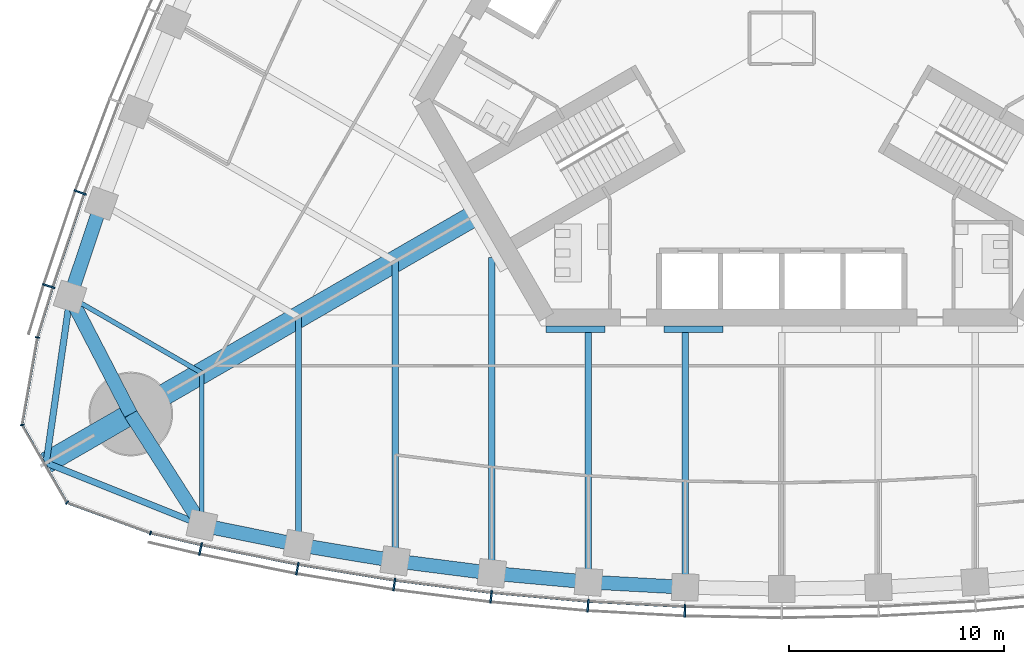
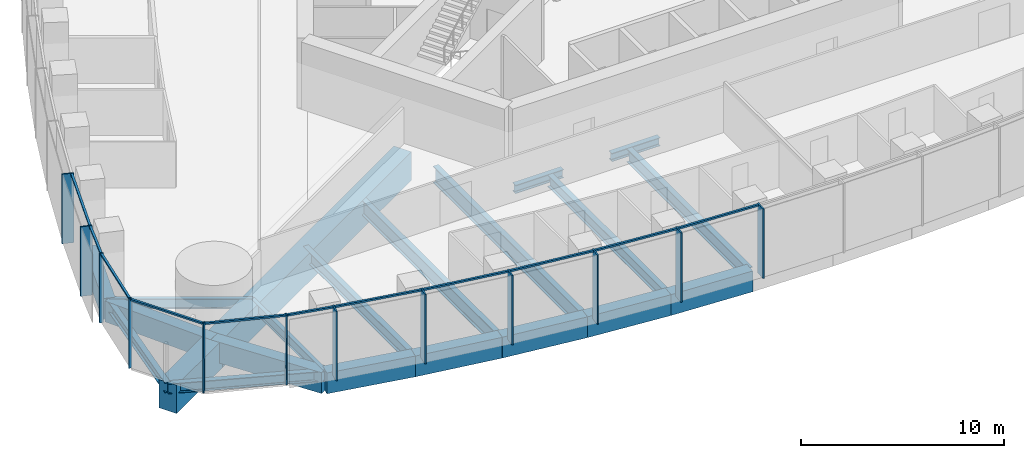
# One storey, part 2 of 21: 23 members, 21 beams, 3 elements without a shape of their own.
"""IFC4 building model written with IfcOpenShell, lengths in metres."""

from ifc_helpers import new_model, si_unit, direction, frame, origin, origin_2d, place, context, subcontext, project, spatial, rectangle, i_section, extrude, material, material_profile, profile_set, type_object, element, aggregate, save


model = new_model("IFC4")

# Units and contexts
model_context = context("Model", 3, precision=1e-05, world=origin(), true_north=direction((0.0, 1.0)))
body_context = subcontext(model_context, "Body", "Model", "MODEL_VIEW")
ifc_project = project(units=[si_unit("LENGTHUNIT", "METRE"), si_unit("AREAUNIT", "SQUARE_METRE"), si_unit("VOLUMEUNIT", "CUBIC_METRE"), si_unit("PLANEANGLEUNIT", "RADIAN"), si_unit("MASSUNIT", "GRAM", prefix="KILO")], contexts=[model_context])

# Site, building, storey
site_placement = place(None, origin())
site = spatial("IfcSite", under=ifc_project, at=site_placement, CompositionType="ELEMENT")
building_placement = place(site_placement, origin())
building = spatial("IfcBuilding", under=site, at=building_placement, Name="Trefoil Bronze Tower", CompositionType="ELEMENT")
storey_placement = place(building_placement, frame((0.0, 0.0, 149.300048828125)))
storey = spatial("IfcBuildingStorey", under=building, at=storey_placement, Name="L34", CompositionType="ELEMENT", Elevation=149.300048828125)

# Curtain wall, members
ifc_material_1 = material(Name="Tinted solar-control glass", Category="glass")
curtain_wall_type_1 = type_object("IfcCurtainWallType", Name="Bronze office curtain wall", PredefinedType="USERDEFINED", material=ifc_material_1)
curtain_wall_1_placement = place(storey_placement, origin())
curtain_wall_1 = element("IfcCurtainWall", 1, at=curtain_wall_1_placement, inside=storey, type_object=curtain_wall_type_1, Name="CW-A L34 F1", ObjectType="CURTAIN WALL", PredefinedType="USERDEFINED")
ifc_material_2 = material(Name="Bronze-finish aluminium", Category="aluminium")
ifc_material_profile_1 = material_profile(ifc_material_2, rectangle(XDim=0.60009765625, YDim=0.080078125, at=origin_2d()), Name="CW-A mullion")
ifc_profile_set_1 = profile_set([ifc_material_profile_1], Name="Bronze-finish aluminium")
member_type_1 = type_object("IfcMemberType", Name="Bronze office curtain wall mullion", PredefinedType="MULLION", material=ifc_profile_set_1)
member_1_placement = place(storey_placement, frame((-27.0634765625, -23.7890625, 0.0), z_axis=(0.0, 0.0, 1.0), x_axis=(0.21197042503, 0.977276081214, 0.0)))
member_1 = element("IfcMember", 2, at=member_1_placement, type_object=member_type_1, Name="CW-A L34 F1 mullion 2", PredefinedType="MULLION", context=body_context, shape_type="SweptSolid", body=[
    extrude(rectangle(XDim=0.60009765625, YDim=0.080078125, at=origin_2d()), origin(), (0.0, 0.0, 1.0), 4.179931640625),
])
member_2_placement = place(storey_placement, frame((-22.553955078125, -24.700927734375, 0.0), z_axis=(0.0, 0.0, 1.0), x_axis=(0.180240853954, 0.98362250613, 0.0)))
member_2 = element("IfcMember", 3, at=member_2_placement, type_object=member_type_1, Name="CW-A L34 F1 mullion 3", PredefinedType="MULLION", context=body_context, shape_type="SweptSolid", body=[
    extrude(rectangle(XDim=0.60009765625, YDim=0.080078125, at=origin_2d()), origin(), (0.0, 0.0, 1.0), 4.179931640625),
])
member_3_placement = place(storey_placement, frame((-18.043212890625, -25.4423828125, 0.0), z_axis=(0.0, 0.0, 1.0), x_axis=(0.144192103798, 0.989549714366, 0.0)))
member_3 = element("IfcMember", 4, at=member_3_placement, type_object=member_type_1, Name="CW-A L34 F1 mullion 4", PredefinedType="MULLION", context=body_context, shape_type="SweptSolid", body=[
    extrude(rectangle(XDim=0.60009765625, YDim=0.080078125, at=origin_2d()), origin(), (0.0, 0.0, 1.0), 4.179931640625),
])
member_4_placement = place(storey_placement, frame((-13.532470703125, -26.01611328125, 0.0), z_axis=(0.0, 0.0, 1.0), x_axis=(0.108143747013, 0.994135267447, 0.0)))
member_4 = element("IfcMember", 5, at=member_4_placement, type_object=member_type_1, Name="CW-A L34 F1 mullion 5", PredefinedType="MULLION", context=body_context, shape_type="SweptSolid", body=[
    extrude(rectangle(XDim=0.60009765625, YDim=0.080078125, at=origin_2d()), origin(), (0.0, 0.0, 1.0), 4.179931640625),
])
member_5_placement = place(storey_placement, frame((-9.021728515625, -26.424072265625, 0.0), z_axis=(0.0, 0.0, 1.0), x_axis=(0.072095676284, 0.997397720802, 0.0)))
member_5 = element("IfcMember", 6, at=member_5_placement, type_object=member_type_1, Name="CW-A L34 F1 mullion 6", PredefinedType="MULLION", context=body_context, shape_type="SweptSolid", body=[
    extrude(rectangle(XDim=0.60009765625, YDim=0.080078125, at=origin_2d()), origin(), (0.0, 0.0, 1.0), 4.179931640625),
])
member_6_placement = place(storey_placement, frame((-4.5107421875, -26.66845703125, 0.0), z_axis=(0.0, 0.0, 1.0), x_axis=(0.036047792107, 0.999350067136, 0.0)))
member_6 = element("IfcMember", 7, at=member_6_placement, type_object=member_type_1, Name="CW-A L34 F1 mullion 7", PredefinedType="MULLION", context=body_context, shape_type="SweptSolid", body=[
    extrude(rectangle(XDim=0.60009765625, YDim=0.080078125, at=origin_2d()), origin(), (0.0, 0.0, 1.0), 4.179931640625),
])

curtain_wall_2_placement = place(storey_placement, origin())
curtain_wall_2 = element("IfcCurtainWall", 8, at=curtain_wall_2_placement, inside=storey, type_object=curtain_wall_type_1, Name="CW-A L34 F3", ObjectType="CURTAIN WALL", PredefinedType="USERDEFINED")
member_7_placement = place(storey_placement, frame((-32.668701171875, -7.181884765625, 0.0), z_axis=(0.0, 0.0, 1.0), x_axis=(0.94196250502, -0.335718094742, 0.0)))
member_7 = element("IfcMember", 9, at=member_7_placement, type_object=member_type_1, Name="CW-A L34 F3 mullion 13", PredefinedType="MULLION", context=body_context, shape_type="SweptSolid", body=[
    extrude(rectangle(XDim=0.60009765625, YDim=0.080078125, at=origin_2d()), origin(), (0.0, 0.0, 1.0), 4.179931640625),
])
member_8_placement = place(storey_placement, frame((-34.1337890625, -11.543212890625, 0.0), z_axis=(0.0, 0.0, 1.0), x_axis=(0.952331125357, -0.30506626768, 0.0)))
member_8 = element("IfcMember", 10, at=member_8_placement, type_object=member_type_1, Name="CW-A L34 F3 mullion 14", PredefinedType="MULLION", context=body_context, shape_type="SweptSolid", body=[
    extrude(rectangle(XDim=0.60009765625, YDim=0.080078125, at=origin_2d()), origin(), (0.0, 0.0, 1.0), 4.179931640625),
])

# Member
ifc_material_3 = material(Name="Bronze-finish aluminium", Category="aluminium")
ifc_material_profile_2 = material_profile(ifc_material_3, rectangle(XDim=0.1201171875, YDim=0.10009765625, at=origin_2d()), Name="CW-A transom")
ifc_profile_set_2 = profile_set([ifc_material_profile_2], Name="Bronze-finish aluminium")
member_type_2 = type_object("IfcMemberType", Name="Bronze office curtain wall transom", PredefinedType="USERDEFINED", material=ifc_profile_set_2)
member_9_placement = place(storey_placement, frame((-29.34130859375, -23.05615234375, 4.1298828125), z_axis=(0.974206243495, -0.225659467196, 0.0), x_axis=(0.225659467196, 0.974206243495, 0.0)))
member_9 = element("IfcMember", 11, at=member_9_placement, type_object=member_type_2, Name="CW-A L34 F1 transom 1", ObjectType="TRANSOM", PredefinedType="USERDEFINED", context=body_context, shape_type="SweptSolid", body=[
    extrude(rectangle(XDim=0.1201171875, YDim=0.10009765625, at=origin_2d()), origin(), (0.0, 0.0, 1.0), 2.340087890625),
])

member_10_placement = place(storey_placement, frame((-26.980712890625, -23.601806640625, 4.1298828125), z_axis=(0.980153749225, -0.198238815273, 0.0), x_axis=(0.198238815273, 0.980153749225, 0.0)))
member_10 = element("IfcMember", 12, at=member_10_placement, type_object=member_type_2, Name="CW-A L34 F1 transom 2", ObjectType="TRANSOM", PredefinedType="USERDEFINED", context=body_context, shape_type="SweptSolid", body=[
    extrude(rectangle(XDim=0.1201171875, YDim=0.10009765625, at=origin_2d()), origin(), (0.0, 0.0, 1.0), 4.51123046875),
])

member_11_placement = place(storey_placement, frame((-22.476806640625, -24.510986328125, 4.1298828125), z_axis=(0.986755265284, -0.162216048636, 0.0), x_axis=(0.162216048636, 0.986755265284, 0.0)))
member_11 = element("IfcMember", 13, at=member_11_placement, type_object=member_type_2, Name="CW-A L34 F1 transom 3", ObjectType="TRANSOM", PredefinedType="USERDEFINED", context=body_context, shape_type="SweptSolid", body=[
    extrude(rectangle(XDim=0.1201171875, YDim=0.10009765625, at=origin_2d()), origin(), (0.0, 0.0, 1.0), 4.48046875),
])

member_12_placement = place(storey_placement, frame((-17.972900390625, -25.249755859375, 4.1298828125), z_axis=(0.992008387848, -0.12617193998, 0.0), x_axis=(0.12617193998, 0.992008387848, 0.0)))
member_12 = element("IfcMember", 14, at=member_12_placement, type_object=member_type_2, Name="CW-A L34 F1 transom 4", ObjectType="TRANSOM", PredefinedType="USERDEFINED", context=body_context, shape_type="SweptSolid", body=[
    extrude(rectangle(XDim=0.1201171875, YDim=0.10009765625, at=origin_2d()), origin(), (0.0, 0.0, 1.0), 4.456298828125),
])

member_13_placement = place(storey_placement, frame((-13.46923828125, -25.821044921875, 4.1298828125), z_axis=(0.995932787062, -0.090099298863, 0.0), x_axis=(0.090099298863, 0.995932787062, 0.0)))
member_13 = element("IfcMember", 15, at=member_13_placement, type_object=member_type_2, Name="CW-A L34 F1 transom 5", ObjectType="TRANSOM", PredefinedType="USERDEFINED", context=body_context, shape_type="SweptSolid", body=[
    extrude(rectangle(XDim=0.1201171875, YDim=0.10009765625, at=origin_2d()), origin(), (0.0, 0.0, 1.0), 4.4384765625),
])

member_14_placement = place(storey_placement, frame((-8.965576171875, -26.22705078125, 4.1298828125), z_axis=(0.998538253569, -0.054049571306, 0.0), x_axis=(0.054049571306, 0.998538253569, 0.0)))
member_14 = element("IfcMember", 16, at=member_14_placement, type_object=member_type_2, Name="CW-A L34 F1 transom 6", ObjectType="TRANSOM", PredefinedType="USERDEFINED", context=body_context, shape_type="SweptSolid", body=[
    extrude(rectangle(XDim=0.1201171875, YDim=0.10009765625, at=origin_2d()), origin(), (0.0, 0.0, 1.0), 4.4267578125),
])

aggregate(curtain_wall_1, [member_1, member_2, member_3, member_4, member_5, member_6, member_9, member_10, member_11, member_12, member_13, member_14])

member_15_placement = place(storey_placement, frame((-32.49365234375, -7.28857421875, 4.1298828125), z_axis=(-0.318386323729, -0.947961048178, 0.0), x_axis=(0.947961048178, -0.318386323729, 0.0)))
member_15 = element("IfcMember", 17, at=member_15_placement, type_object=member_type_2, Name="CW-A L34 F3 transom 13", ObjectType="TRANSOM", PredefinedType="USERDEFINED", context=body_context, shape_type="SweptSolid", body=[
    extrude(rectangle(XDim=0.1201171875, YDim=0.10009765625, at=origin_2d()), origin(), (0.0, 0.0, 1.0), 4.51123046875),
])

member_16_placement = place(storey_placement, frame((-33.955322265625, -11.643798828125, 4.1298828125), z_axis=(-0.291680468798, -0.956515814883, 0.0), x_axis=(0.956515814883, -0.291680468798, 0.0)))
member_16 = element("IfcMember", 18, at=member_16_placement, type_object=member_type_2, Name="CW-A L34 F3 transom 14", ObjectType="TRANSOM", PredefinedType="USERDEFINED", context=body_context, shape_type="SweptSolid", body=[
    extrude(rectangle(XDim=0.1201171875, YDim=0.10009765625, at=origin_2d()), origin(), (0.0, 0.0, 1.0), 2.34033203125),
])

aggregate(curtain_wall_2, [member_7, member_8, member_15, member_16])

# Curtain wall, members
ifc_material_4 = material(Name="Tinted solar-control glass", Category="glass")
curtain_wall_type_2 = type_object("IfcCurtainWallType", Name="Bronze rounded corner curtain wall", PredefinedType="USERDEFINED", material=ifc_material_4)
curtain_wall_3_placement = place(storey_placement, origin())
curtain_wall_3 = element("IfcCurtainWall", 19, at=curtain_wall_3_placement, inside=storey, type_object=curtain_wall_type_2, Name="CW-B L34 K3", ObjectType="CURTAIN WALL", PredefinedType="USERDEFINED")
ifc_material_5 = material(Name="Bronze-finish aluminium", Category="aluminium")
ifc_material_profile_3 = material_profile(ifc_material_5, rectangle(XDim=0.199951171875, YDim=0.06005859375, at=origin_2d()), Name="CW-B mullion")
ifc_profile_set_3 = profile_set([ifc_material_profile_3], Name="Bronze-finish aluminium")
member_type_3 = type_object("IfcMemberType", Name="Bronze rounded corner curtain wall mullion", PredefinedType="MULLION", material=ifc_profile_set_3)
member_17_placement = place(storey_placement, frame((-34.65234375, -13.932373046875, 0.0), z_axis=(0.0, 0.0, 1.0), x_axis=(0.984807753012, -0.173648177667, 0.0)))
member_17 = element("IfcMember", 20, at=member_17_placement, type_object=member_type_3, Name="CW-B L34 K3 mullion 1", PredefinedType="MULLION", context=body_context, shape_type="SweptSolid", body=[
    extrude(rectangle(XDim=0.199951171875, YDim=0.06005859375, at=origin_2d()), origin(), (0.0, 0.0, 1.0), 4.179931640625),
])
member_18_placement = place(storey_placement, frame((-35.364990234375, -18.009033203125, 0.0), z_axis=(0.0, 0.0, 1.0), x_axis=(0.984807753012, 0.173648177667, 0.0)))
member_18 = element("IfcMember", 21, at=member_18_placement, type_object=member_type_3, Name="CW-B L34 K3 mullion 2", PredefinedType="MULLION", context=body_context, shape_type="SweptSolid", body=[
    extrude(rectangle(XDim=0.199951171875, YDim=0.06005859375, at=origin_2d()), origin(), (0.0, 0.0, 1.0), 4.179931640625),
])
member_19_placement = place(storey_placement, frame((-33.27880859375, -21.62255859375, 0.0), z_axis=(0.0, 0.0, 1.0), x_axis=(0.642787609687, 0.766044443119, 0.0)))
member_19 = element("IfcMember", 22, at=member_19_placement, type_object=member_type_3, Name="CW-B L34 K3 mullion 3", PredefinedType="MULLION", context=body_context, shape_type="SweptSolid", body=[
    extrude(rectangle(XDim=0.199951171875, YDim=0.06005859375, at=origin_2d()), origin(), (0.0, 0.0, 1.0), 4.179931640625),
])
member_20_placement = place(storey_placement, frame((-29.391845703125, -23.043701171875, 0.0), z_axis=(0.0, 0.0, 1.0), x_axis=(0.342020143326, 0.939692620786, 0.0)))
member_20 = element("IfcMember", 23, at=member_20_placement, type_object=member_type_3, Name="CW-B L34 K3 mullion 4", PredefinedType="MULLION", context=body_context, shape_type="SweptSolid", body=[
    extrude(rectangle(XDim=0.199951171875, YDim=0.06005859375, at=origin_2d()), origin(), (0.0, 0.0, 1.0), 4.179931640625),
])
ifc_material_6 = material(Name="Bronze-finish aluminium", Category="aluminium")
ifc_material_profile_4 = material_profile(ifc_material_6, rectangle(XDim=0.1201171875, YDim=0.10009765625, at=origin_2d()), Name="CW-B transom")
ifc_profile_set_4 = profile_set([ifc_material_profile_4], Name="Bronze-finish aluminium")
member_type_4 = type_object("IfcMemberType", Name="Bronze rounded corner curtain wall transom", PredefinedType="USERDEFINED", material=ifc_profile_set_4)
member_21_placement = place(storey_placement, frame((-34.657470703125, -13.9619140625, 4.1298828125), z_axis=(-0.173682016639, -0.984801785689, 0.0), x_axis=(0.984801785689, -0.173682016639, 0.0)))
member_21 = element("IfcMember", 24, at=member_21_placement, type_object=member_type_4, Name="CW-B L34 K3 transom 1", ObjectType="TRANSOM", PredefinedType="USERDEFINED", context=body_context, shape_type="SweptSolid", body=[
    extrude(rectangle(XDim=0.1201171875, YDim=0.10009765625, at=origin_2d()), origin(), (0.0, 0.0, 1.0), 4.044189453125),
])
member_22_placement = place(storey_placement, frame((-35.338134765625, -18.067626953125, 4.1298828125), z_axis=(0.500015078168, -0.866016698225, 0.0), x_axis=(0.866016698225, 0.500015078168, 0.0)))
member_22 = element("IfcMember", 25, at=member_22_placement, type_object=member_type_4, Name="CW-B L34 K3 transom 2", ObjectType="TRANSOM", PredefinedType="USERDEFINED", context=body_context, shape_type="SweptSolid", body=[
    extrude(rectangle(XDim=0.1201171875, YDim=0.10009765625, at=origin_2d()), origin(), (0.0, 0.0, 1.0), 4.04443359375),
])
member_23_placement = place(storey_placement, frame((-33.220458984375, -21.650146484375, 4.1298828125), z_axis=(0.939684096629, -0.342043562347, 0.0), x_axis=(0.342043562347, 0.939684096629, 0.0)))
member_23 = element("IfcMember", 26, at=member_23_placement, type_object=member_type_4, Name="CW-B L34 K3 transom 3", ObjectType="TRANSOM", PredefinedType="USERDEFINED", context=body_context, shape_type="SweptSolid", body=[
    extrude(rectangle(XDim=0.1201171875, YDim=0.10009765625, at=origin_2d()), origin(), (0.0, 0.0, 1.0), 4.044189453125),
])
aggregate(curtain_wall_3, [member_17, member_18, member_19, member_20, member_21, member_22, member_23])

# Beams
ifc_material_7 = material(Name="Steel C355", Category="steel")
ifc_material_profile_5 = material_profile(ifc_material_7, i_section(OverallWidth=0.300048828125, OverallDepth=0.5, WebThickness=0.014404296875, FlangeThickness=0.028076171875, FilletRadius=0.027099609375, at=origin_2d()), Name="HEB 500")
ifc_profile_set_5 = profile_set([ifc_material_profile_5], Name="Steel C355")
beam_type_1 = type_object("IfcBeamType", Name="Core seat beam HEB 500", PredefinedType="BEAM", material=ifc_profile_set_5)
for number, where, z_axis, x_axis, name in (
    (27, (-10.9697265625, -13.550048828125, -0.449951171875), (1.0, 0.0, 0.0), (0.0, 1.0, 0.0), "Core seat beam F1/-2 L34"),
    (28, (-5.48486328125, -13.550048828125, -0.449951171875), (1.0, 0.0, 0.0), (0.0, 1.0, 0.0), "Core seat beam F1/-1 L34"),
):
    element("IfcBeam", number, at=place(storey_placement, frame(where, z_axis=z_axis, x_axis=x_axis)), inside=storey, type_object=beam_type_1, Name=name, PredefinedType="BEAM", context=body_context, shape_type="SweptSolid", body=[
        extrude(i_section(OverallWidth=0.300048828125, OverallDepth=0.5, WebThickness=0.014404296875, FlangeThickness=0.028076171875, FilletRadius=0.027099609375, at=origin_2d()), origin(), (0.0, 0.0, 1.0), 2.742431640625),
    ])
ifc_material_8 = material(Name="Concrete B80", Category="concrete")
ifc_material_profile_6 = material_profile(ifc_material_8, rectangle(XDim=1.0, YDim=1.699951171875, at=origin_2d()), Name="RC 1000x1700")
ifc_profile_set_6 = profile_set([ifc_material_profile_6], Name="Concrete B80")
beam_type_2 = type_object("IfcBeamType", Name="Corner cantilever RC 1000x1700", PredefinedType="BEAM", material=ifc_profile_set_6)
beam_1_placement = place(storey_placement, frame((-30.310791015625, -17.5, -1.050048828125), z_axis=(-0.866031878637, -0.499988785058, 0.0), x_axis=(0.499988785058, -0.866031878637, 0.0)))
element("IfcBeam", 29, at=beam_1_placement, inside=storey, type_object=beam_type_2, Name="Corner cantilever K3 L34", PredefinedType="BEAM", context=body_context, shape_type="SweptSolid", body=[
    extrude(rectangle(XDim=1.0, YDim=1.699951171875, at=origin_2d()), origin(), (0.0, 0.0, 1.0), 4.54931640625),
])
ifc_material_9 = material(Name="Steel C355", Category="steel")
ifc_material_profile_7 = material_profile(ifc_material_9, i_section(OverallWidth=0.300048828125, OverallDepth=0.60009765625, WebThickness=0.015380859375, FlangeThickness=0.030029296875, FilletRadius=0.027099609375, at=origin_2d()), Name="HEB 600")
ifc_profile_set_7 = profile_set([ifc_material_profile_7], Name="Steel C355")
beam_type_3 = type_object("IfcBeamType", Name="Corner edge beam HEB 600", PredefinedType="BEAM", material=ifc_profile_set_7)
for number, where, z_axis, x_axis, name in (
    (30, (-27.0, -22.67724609375, -0.5), (-0.928375332495, 0.371643972122, 0.0), (-0.371643972122, -0.928375332495, 0.0), "Corner edge beam F1B L34"),
    (31, (-33.13916015625, -12.044189453125, -0.5), (-0.142327214588, -0.989819662357, 0.0), (0.989819662357, -0.142327214588, 0.0), "Corner edge beam F3A L34"),
):
    element("IfcBeam", number, at=place(storey_placement, frame(where, z_axis=z_axis, x_axis=x_axis)), inside=storey, type_object=beam_type_3, Name=name, PredefinedType="BEAM", context=body_context, shape_type="SweptSolid", body=[
        extrude(i_section(OverallWidth=0.300048828125, OverallDepth=0.60009765625, WebThickness=0.015380859375, FlangeThickness=0.030029296875, FilletRadius=0.027099609375, at=origin_2d()), origin(), (0.0, 0.0, 1.0), 7.81005859375),
    ])
ifc_material_10 = material(Name="Concrete B80", Category="concrete")
ifc_material_profile_8 = material_profile(ifc_material_10, rectangle(XDim=1.0, YDim=1.699951171875, at=origin_2d()), Name="RC 1000x1700")
ifc_profile_set_8 = profile_set([ifc_material_profile_8], Name="Concrete B80")
beam_type_4 = type_object("IfcBeamType", Name="Corner girder RC 1000x1700", PredefinedType="BEAM", material=ifc_profile_set_8)
beam_2_placement = place(storey_placement, frame((-14.202880859375, -8.199951171875, -1.050048828125), z_axis=(-0.866022084834, -0.500005748546, 0.0), x_axis=(0.500005748546, -0.866022084834, 0.0)))
element("IfcBeam", 32, at=beam_2_placement, inside=storey, type_object=beam_type_4, Name="Corner girder K3 L34", PredefinedType="BEAM", context=body_context, shape_type="SweptSolid", body=[
    extrude(rectangle(XDim=1.0, YDim=1.699951171875, at=origin_2d()), origin(), (0.0, 0.0, 1.0), 18.599853515625),
])
ifc_material_11 = material(Name="Concrete B80", Category="concrete")
ifc_material_profile_9 = material_profile(ifc_material_11, rectangle(XDim=0.64990234375, YDim=1.25, at=origin_2d()), Name="RC 650x1250")
ifc_profile_set_9 = profile_set([ifc_material_profile_9], Name="Concrete B80")
beam_type_5 = type_object("IfcBeamType", Name="End spandrel beam RC 650x1250", PredefinedType="SPANDREL", material=ifc_profile_set_9)
for number, where, z_axis, x_axis, name in (
    (33, (-30.310791015625, -17.5, -0.824951171875), (0.53874814953, -0.84246687257, 0.0), (0.84246687257, 0.53874814953, 0.0), "Spandrel F1.1 L34"),
    (34, (-33.13916015625, -12.044189453125, -0.824951171875), (0.460244107083, -0.887792409235, 0.0), (0.887792409235, 0.460244107083, 0.0), "Spandrel F3.14 L34"),
):
    element("IfcBeam", number, at=place(storey_placement, frame(where, z_axis=z_axis, x_axis=x_axis)), inside=storey, type_object=beam_type_5, Name=name, PredefinedType="SPANDREL", context=body_context, shape_type="SweptSolid", body=[
        extrude(rectangle(XDim=0.64990234375, YDim=1.25, at=origin_2d()), origin(), (0.0, 0.0, 1.0), 6.145263671875),
    ])
ifc_material_12 = material(Name="Steel C355", Category="steel")
ifc_material_profile_10 = material_profile(ifc_material_12, i_section(OverallWidth=0.300048828125, OverallDepth=1.0, WebThickness=0.01904296875, FlangeThickness=0.035888671875, FilletRadius=0.030029296875, at=origin_2d()), Name="HEB 1000")
ifc_profile_set_10 = profile_set([ifc_material_profile_10], Name="Steel C355")
beam_type_6 = type_object("IfcBeamType", Name="Floor beam HEB 1000", PredefinedType="BEAM", material=ifc_profile_set_10)
beam_3_placement = place(storey_placement, frame((-13.5, -24.9130859375, -0.699951171875), z_axis=(0.0, 1.0, 0.0), x_axis=(-1.0, 0.0, 0.0)))
element("IfcBeam", 35, at=beam_3_placement, inside=storey, type_object=beam_type_6, Name="Floor beam F1/-3 L34", PredefinedType="BEAM", context=body_context, shape_type="SweptSolid", body=[
    extrude(i_section(OverallWidth=0.300048828125, OverallDepth=1.0, WebThickness=0.01904296875, FlangeThickness=0.035888671875, FilletRadius=0.030029296875, at=origin_2d()), origin(), (0.0, 0.0, 1.0), 14.69580078125),
])
ifc_material_13 = material(Name="Steel C355", Category="steel")
ifc_material_profile_11 = material_profile(ifc_material_13, i_section(OverallWidth=0.300048828125, OverallDepth=0.699951171875, WebThickness=0.01708984375, FlangeThickness=0.031982421875, FilletRadius=0.027099609375, at=origin_2d()), Name="HEB 700")
ifc_profile_set_11 = profile_set([ifc_material_profile_11], Name="Steel C355")
beam_type_7 = type_object("IfcBeamType", Name="Floor beam HEB 700", PredefinedType="BEAM", material=ifc_profile_set_11)
beam_4_placement = place(storey_placement, frame((-22.5, -23.592529296875, -0.550048828125), z_axis=(0.0, 1.0, 0.0), x_axis=(-1.0, 0.0, 0.0)))
element("IfcBeam", 36, at=beam_4_placement, inside=storey, type_object=beam_type_7, Name="Floor beam F1/-5 L34", PredefinedType="BEAM", context=body_context, shape_type="SweptSolid", body=[
    extrude(i_section(OverallWidth=0.300048828125, OverallDepth=0.699951171875, WebThickness=0.01708984375, FlangeThickness=0.031982421875, FilletRadius=0.027099609375, at=origin_2d()), origin(), (0.0, 0.0, 1.0), 10.60205078125),
])
beam_5_placement = place(storey_placement, frame((-9.0, -25.32275390625, -0.550048828125), z_axis=(0.0, 1.0, 0.0), x_axis=(-1.0, 0.0, 0.0)))
element("IfcBeam", 37, at=beam_5_placement, inside=storey, type_object=beam_type_7, Name="Floor beam F1/-2 L34", PredefinedType="BEAM", context=body_context, shape_type="SweptSolid", body=[
    extrude(i_section(OverallWidth=0.300048828125, OverallDepth=0.699951171875, WebThickness=0.01708984375, FlangeThickness=0.031982421875, FilletRadius=0.027099609375, at=origin_2d()), origin(), (0.0, 0.0, 1.0), 11.622802734375),
])
ifc_material_14 = material(Name="Steel C355", Category="steel")
ifc_material_profile_12 = material_profile(ifc_material_14, i_section(OverallWidth=0.300048828125, OverallDepth=0.800048828125, WebThickness=0.017578125, FlangeThickness=0.032958984375, FilletRadius=0.030029296875, at=origin_2d()), Name="HEB 800")
ifc_profile_set_12 = profile_set([ifc_material_profile_12], Name="Steel C355")
beam_type_8 = type_object("IfcBeamType", Name="Floor beam HEB 800", PredefinedType="BEAM", material=ifc_profile_set_12)
beam_6_placement = place(storey_placement, frame((-4.5, -25.568115234375, -0.60009765625), z_axis=(0.0, 1.0, 0.0), x_axis=(-1.0, 0.0, 0.0)))
element("IfcBeam", 38, at=beam_6_placement, inside=storey, type_object=beam_type_8, Name="Floor beam F1/-1 L34", PredefinedType="BEAM", context=body_context, shape_type="SweptSolid", body=[
    extrude(i_section(OverallWidth=0.300048828125, OverallDepth=0.800048828125, WebThickness=0.017578125, FlangeThickness=0.032958984375, FilletRadius=0.030029296875, at=origin_2d()), origin(), (0.0, 0.0, 1.0), 11.8681640625),
])
ifc_material_15 = material(Name="Steel C355", Category="steel")
ifc_material_profile_13 = material_profile(ifc_material_15, i_section(OverallWidth=0.300048828125, OverallDepth=0.89990234375, WebThickness=0.0185546875, FlangeThickness=0.034912109375, FilletRadius=0.030029296875, at=origin_2d()), Name="HEB 900")
ifc_profile_set_13 = profile_set([ifc_material_profile_13], Name="Steel C355")
beam_type_9 = type_object("IfcBeamType", Name="Floor beam HEB 900", PredefinedType="BEAM", material=ifc_profile_set_13)
beam_7_placement = place(storey_placement, frame((-18.0, -24.337158203125, -0.650146484375), z_axis=(0.0, 1.0, 0.0), x_axis=(-1.0, 0.0, 0.0)))
element("IfcBeam", 39, at=beam_7_placement, inside=storey, type_object=beam_type_9, Name="Floor beam F1/-4 L34", PredefinedType="BEAM", context=body_context, shape_type="SweptSolid", body=[
    extrude(i_section(OverallWidth=0.300048828125, OverallDepth=0.89990234375, WebThickness=0.0185546875, FlangeThickness=0.034912109375, FilletRadius=0.030029296875, at=origin_2d()), origin(), (0.0, 0.0, 1.0), 13.94482421875),
])
ifc_material_16 = material(Name="Steel C355", Category="steel")
ifc_material_profile_14 = material_profile(ifc_material_16, i_section(OverallWidth=0.219970703125, OverallDepth=0.60009765625, WebThickness=0.011962890625, FlangeThickness=0.01904296875, FilletRadius=0.02392578125, at=origin_2d()), Name="IPE 600")
ifc_profile_set_14 = profile_set([ifc_material_profile_14], Name="Steel C355")
beam_type_10 = type_object("IfcBeamType", Name="Floor beam IPE 600", PredefinedType="BEAM", material=ifc_profile_set_14)
for number, where, z_axis, x_axis, name in (
    (40, (-27.0, -22.67724609375, -0.5), (0.0, 1.0, 0.0), (-1.0, 0.0, 0.0), "Floor beam F1/-6 L34"),
    (41, (-33.13916015625, -12.044189453125, -0.5), (0.866041060244, -0.499972881236, 0.0), (0.499972881236, 0.866041060244, 0.0), "Floor beam F3/+6 L34"),
):
    element("IfcBeam", number, at=place(storey_placement, frame(where, z_axis=z_axis, x_axis=x_axis)), inside=storey, type_object=beam_type_10, Name=name, PredefinedType="BEAM", context=body_context, shape_type="SweptSolid", body=[
        extrude(i_section(OverallWidth=0.219970703125, OverallDepth=0.60009765625, WebThickness=0.011962890625, FlangeThickness=0.01904296875, FilletRadius=0.02392578125, at=origin_2d()), origin(), (0.0, 0.0, 1.0), 7.0888671875),
    ])
ifc_material_17 = material(Name="Concrete B80", Category="concrete")
ifc_material_profile_15 = material_profile(ifc_material_17, rectangle(XDim=0.64990234375, YDim=1.25, at=origin_2d()), Name="RC 650x1250")
ifc_profile_set_15 = profile_set([ifc_material_profile_15], Name="Concrete B80")
beam_type_11 = type_object("IfcBeamType", Name="Spandrel beam RC 650x1250", PredefinedType="SPANDREL", material=ifc_profile_set_15)
beam_8_placement = place(storey_placement, frame((-27.0, -22.67724609375, -0.824951171875), z_axis=(0.979935430296, -0.199315208777, 0.0), x_axis=(0.199315208777, 0.979935430296, 0.0)))
element("IfcBeam", 42, at=beam_8_placement, inside=storey, type_object=beam_type_11, Name="Spandrel F1.2 L34", PredefinedType="SPANDREL", context=body_context, shape_type="SweptSolid", body=[
    extrude(rectangle(XDim=0.64990234375, YDim=1.25, at=origin_2d()), origin(), (0.0, 0.0, 1.0), 4.592041015625),
])
beam_9_placement = place(storey_placement, frame((-22.5, -23.592529296875, -0.824951171875), z_axis=(0.986584214684, -0.163253138823, 0.0), x_axis=(0.163253138823, 0.986584214684, 0.0)))
element("IfcBeam", 43, at=beam_9_placement, inside=storey, type_object=beam_type_11, Name="Spandrel F1.3 L34", PredefinedType="SPANDREL", context=body_context, shape_type="SweptSolid", body=[
    extrude(rectangle(XDim=0.64990234375, YDim=1.25, at=origin_2d()), origin(), (0.0, 0.0, 1.0), 4.561279296875),
])
beam_10_placement = place(storey_placement, frame((-18.0, -24.337158203125, -0.824951171875), z_axis=(0.991909314257, -0.126948463126, 0.0), x_axis=(0.126948463126, 0.991909314257, 0.0)))
element("IfcBeam", 44, at=beam_10_placement, inside=storey, type_object=beam_type_11, Name="Spandrel F1.4 L34", PredefinedType="SPANDREL", context=body_context, shape_type="SweptSolid", body=[
    extrude(rectangle(XDim=0.64990234375, YDim=1.25, at=origin_2d()), origin(), (0.0, 0.0, 1.0), 4.53662109375),
])
beam_11_placement = place(storey_placement, frame((-13.5, -24.9130859375, -0.824951171875), z_axis=(0.995881683815, -0.090662405894, 0.0), x_axis=(0.090662405894, 0.995881683815, 0.0)))
element("IfcBeam", 45, at=beam_11_placement, inside=storey, type_object=beam_type_11, Name="Spandrel F1.5 L34", PredefinedType="SPANDREL", context=body_context, shape_type="SweptSolid", body=[
    extrude(rectangle(XDim=0.64990234375, YDim=1.25, at=origin_2d()), origin(), (0.0, 0.0, 1.0), 4.5185546875),
])
beam_12_placement = place(storey_placement, frame((-9.0, -25.32275390625, -0.824951171875), z_axis=(0.998516832602, -0.054443870267, 0.0), x_axis=(0.054443870267, 0.998516832602, 0.0)))
element("IfcBeam", 46, at=beam_12_placement, inside=storey, type_object=beam_type_11, Name="Spandrel F1.6 L34", PredefinedType="SPANDREL", context=body_context, shape_type="SweptSolid", body=[
    extrude(rectangle(XDim=0.64990234375, YDim=1.25, at=origin_2d()), origin(), (0.0, 0.0, 1.0), 4.506591796875),
])
beam_13_placement = place(storey_placement, frame((-31.681884765625, -7.689208984375, -0.824951171875), z_axis=(-0.31732802068, -0.948315837309, 0.0), x_axis=(0.948315837309, -0.31732802068, 0.0)))
element("IfcBeam", 47, at=beam_13_placement, inside=storey, type_object=beam_type_11, Name="Spandrel F3.13 L34", PredefinedType="SPANDREL", context=body_context, shape_type="SweptSolid", body=[
    extrude(rectangle(XDim=0.64990234375, YDim=1.25, at=origin_2d()), origin(), (0.0, 0.0, 1.0), 4.59228515625),
])

save(model, "model.ifc")
